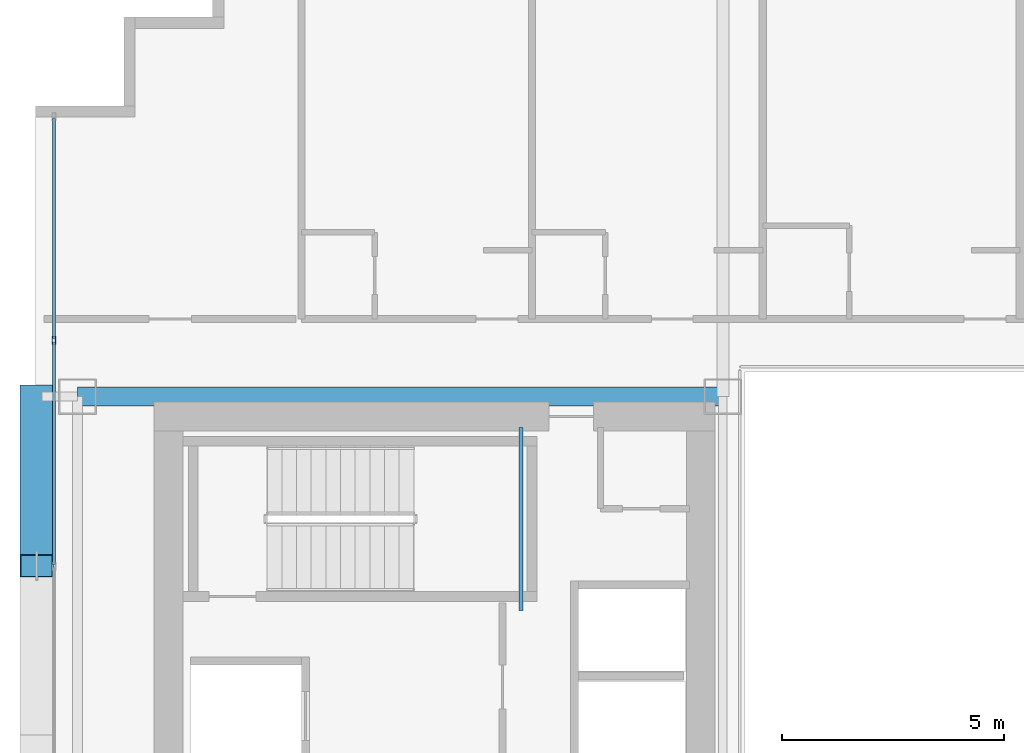
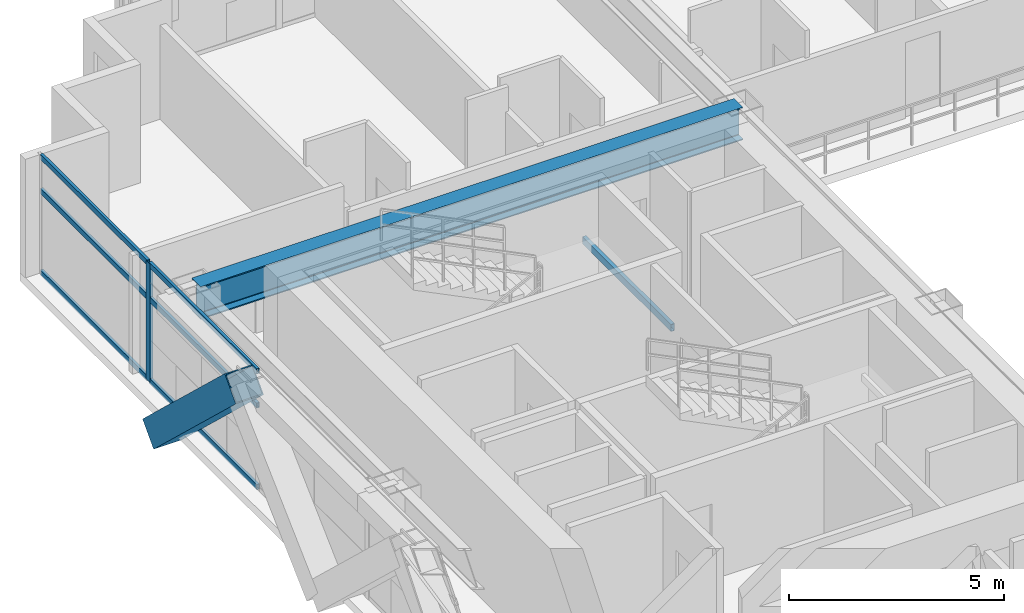
# One storey, part 16 of 36: 8 members, 2 beams, 1 element without a shape of its own.
"""IFC4 building model written with IfcOpenShell, lengths in metres."""

from ifc_helpers import new_model, si_unit, direction, frame, origin, origin_2d, place, context, subcontext, project, spatial, hollow_rectangle, i_section, extrude, source, transform, mapped, material, layer, layer_set, material_profile, profile_set, type_object, element, aggregate, save


model = new_model("IFC4")

# Units and contexts
model_context = context("Model", 3, precision=1e-05, world=origin(), true_north=direction((0.0, 1.0)))
body_context = subcontext(model_context, "Body", "Model", "MODEL_VIEW")
ifc_project = project(units=[si_unit("LENGTHUNIT", "METRE"), si_unit("AREAUNIT", "SQUARE_METRE"), si_unit("VOLUMEUNIT", "CUBIC_METRE"), si_unit("PLANEANGLEUNIT", "RADIAN"), si_unit("MASSUNIT", "GRAM", prefix="KILO")], contexts=[model_context])

# Site, building, storey
site_placement = place(None, origin())
site = spatial("IfcSite", under=ifc_project, at=site_placement, CompositionType="ELEMENT")
building_placement = place(site_placement, origin())
building = spatial("IfcBuilding", under=site, at=building_placement, Name="Ocotamira Hotel", CompositionType="ELEMENT")
storey_placement = place(building_placement, frame((0.0, 0.0, 97.199951171875)))
storey = spatial("IfcBuildingStorey", under=building, at=storey_placement, Name="L23", CompositionType="ELEMENT", Elevation=97.199951171875)

# Beams
ifc_material_1 = material(Name="Steel ASTM A500 Grade C", Category="steel")
ifc_material_profile_1 = material_profile(ifc_material_1, hollow_rectangle(XDim=0.10009765625, YDim=0.199951171875, WallThickness=0.008056640625, at=origin_2d()), Name="HSS200X100X8")
ifc_profile_set_1 = profile_set([ifc_material_profile_1], Name="Steel ASTM A500 Grade C")
beam_type_1 = type_object("IfcBeamType", Name="BM-STLDG-HSS200", PredefinedType="BEAM", material=ifc_profile_set_1)
shared_shape_1 = source(origin(), body_context, "Body", "SweptSolid", [
    extrude(hollow_rectangle(XDim=0.10009765625, YDim=0.199951171875, WallThickness=0.008056640625, at=origin_2d()), origin(), (0.0, 0.0, 1.0), 4.1201171875),
])
beam_1_placement = place(storey_placement, frame((18.949951171875, 32.6298828125, 1.5), z_axis=(0.0, 1.0, 0.0), x_axis=(-1.0, 0.0, 0.0)))
element("IfcBeam", 1, at=beam_1_placement, inside=storey, type_object=beam_type_1, Name="L23 Stair ST-2 Landing Bearer 1", PredefinedType="BEAM", context=body_context, shape_type="MappedRepresentation", body=[
    mapped(shared_shape_1, transform((0.0, 0.0, 0.0), scale=1.0)),
])
ifc_material_2 = material(Name="Steel ASTM A992 Grade 50", Category="steel")
ifc_material_profile_2 = material_profile(ifc_material_2, i_section(OverallWidth=0.41796875, OverallDepth=0.927001953125, WebThickness=0.019287109375, FlangeThickness=0.031982421875, FilletRadius=0.02392578125, at=origin_2d()), Name="W36X231")
ifc_profile_set_2 = profile_set([ifc_material_profile_2], Name="Steel ASTM A992 Grade 50")
beam_type_2 = type_object("IfcBeamType", Name="BM-GIRD-W36X231", PredefinedType="BEAM", material=ifc_profile_set_2)
shared_shape_2 = source(origin(), body_context, "Body", "SweptSolid", [
    extrude(i_section(OverallWidth=0.41796875, OverallDepth=0.927001953125, WebThickness=0.019287109375, FlangeThickness=0.031982421875, FilletRadius=0.02392578125, at=origin_2d()), origin(), (0.0, 0.0, 1.0), 14.550048828125),
])
beam_2_placement = place(storey_placement, frame((8.949951171875, 37.449951171875, 2.896484375), z_axis=(1.0, 0.0, 0.0), x_axis=(0.0, 1.0, 0.0)))
element("IfcBeam", 2, at=beam_2_placement, inside=storey, type_object=beam_type_2, Name="L23 Girder Y37.45 X8.95-23.5", PredefinedType="BEAM", context=body_context, shape_type="MappedRepresentation", body=[
    mapped(shared_shape_2, transform((0.0, 0.0, 0.0), scale=1.0)),
])

# Member
ifc_material_3 = material(Name="Pale-metal coated steel ASTM A913 Grade 65", Category="steel")
ifc_material_profile_3 = material_profile(ifc_material_3, hollow_rectangle(XDim=0.75, YDim=0.75, WallThickness=0.028076171875, at=origin_2d()), Name="BOX750X750X28")
ifc_profile_set_3 = profile_set([ifc_material_profile_3], Name="Pale-metal coated steel ASTM A913 Grade 65")
member_type_1 = type_object("IfcMemberType", Name="MEM-EXO-BOX750", PredefinedType="BRACE", material=ifc_profile_set_3)
shared_shape_3 = source(origin(), body_context, "Body", "SweptSolid", [
    extrude(hollow_rectangle(XDim=0.75, YDim=0.75, WallThickness=0.028076171875, at=origin_2d()), origin(), (0.0, 0.0, 1.0), 5.24658203125),
])
member_1_placement = place(storey_placement, frame((8.030029296875, 37.449951171875, -0.489990234375), z_axis=(0.0, -0.727442733726, 0.686168397078), x_axis=(1.0, 0.0, 0.0)))
element("IfcMember", 3, at=member_1_placement, inside=storey, type_object=member_type_1, Name="L23 Exoskeleton Diagrid W2.2", PredefinedType="BRACE", context=body_context, shape_type="MappedRepresentation", body=[
    mapped(shared_shape_3, transform((0.0, 0.0, 0.0), scale=1.0)),
])

# Curtain wall, members
ifc_material_4 = material(Name="Anodised pale-metal aluminium and solar glass", Category="aluminium")
ifc_layer = layer(ifc_material_4, 0.179931640625)
ifc_layer_set = layer_set([ifc_layer], Name="Anodised pale-metal aluminium and solar glass")
curtain_wall_type = type_object("IfcCurtainWallType", Name="CW-SYS3-Z2", PredefinedType="NOTDEFINED", material=ifc_layer_set)
curtain_wall_placement = place(storey_placement, origin())
curtain_wall = element("IfcCurtainWall", 4, at=curtain_wall_placement, inside=storey, type_object=curtain_wall_type, Name="L23 Curtain Wall CW-3 CW-L23-W", PredefinedType="NOTDEFINED")
ifc_material_5 = material(Name="Anodised pale-metal aluminium 6063-T6", Category="aluminium")
ifc_material_profile_4 = material_profile(ifc_material_5, hollow_rectangle(XDim=0.074951171875, YDim=0.14990234375, WallThickness=0.006103515625, at=origin_2d()), Name="HSS150X75X6")
ifc_profile_set_4 = profile_set([ifc_material_profile_4], Name="Anodised pale-metal aluminium 6063-T6")
member_type_2 = type_object("IfcMemberType", Name="CWT-150X75", PredefinedType="USERDEFINED", material=ifc_profile_set_4)
shared_shape_4 = source(origin(), body_context, "Body", "SweptSolid", [
    extrude(hollow_rectangle(XDim=0.074951171875, YDim=0.14990234375, WallThickness=0.006103515625, at=origin_2d()), origin(), (0.0, 0.0, 1.0), 4.965576171875),
])
member_2_placement = place(storey_placement, frame((8.419921875, 38.75439453125, 0.03759765625), z_axis=(0.0, 1.0, 0.0), x_axis=(-1.0, 0.0, 0.0)))
member_2 = element("IfcMember", 5, at=member_2_placement, type_object=member_type_2, Name="CW-3 transom 7.1", ObjectType="TRANSOM", PredefinedType="USERDEFINED", context=body_context, shape_type="MappedRepresentation", body=[
    mapped(shared_shape_4, transform((0.0, 0.0, 0.0), scale=1.0)),
])
member_3_placement = place(storey_placement, frame((8.419921875, 38.75439453125, 2.35009765625), z_axis=(0.0, 1.0, 0.0), x_axis=(-1.0, 0.0, 0.0)))
member_3 = element("IfcMember", 6, at=member_3_placement, type_object=member_type_2, Name="CW-3 transom 7.2", ObjectType="TRANSOM", PredefinedType="USERDEFINED", context=body_context, shape_type="MappedRepresentation", body=[
    mapped(shared_shape_4, transform((0.0, 0.0, 0.0), scale=1.0)),
])
member_4_placement = place(storey_placement, frame((8.419921875, 38.75439453125, 3.322509765625), z_axis=(0.0, 1.0, 0.0), x_axis=(-1.0, 0.0, 0.0)))
member_4 = element("IfcMember", 7, at=member_4_placement, type_object=member_type_2, Name="CW-3 transom 7.3", ObjectType="TRANSOM", PredefinedType="USERDEFINED", context=body_context, shape_type="MappedRepresentation", body=[
    mapped(shared_shape_4, transform((0.0, 0.0, 0.0), scale=1.0)),
])
shared_shape_5 = source(origin(), body_context, "Body", "SweptSolid", [
    extrude(hollow_rectangle(XDim=0.074951171875, YDim=0.14990234375, WallThickness=0.006103515625, at=origin_2d()), origin(), (0.0, 0.0, 1.0), 5.005859375),
])
member_5_placement = place(storey_placement, frame((8.419921875, 33.66845703125, 0.03759765625), z_axis=(0.0, 1.0, 0.0), x_axis=(-1.0, 0.0, 0.0)))
member_5 = element("IfcMember", 8, at=member_5_placement, type_object=member_type_2, Name="CW-3 transom 6.1", ObjectType="TRANSOM", PredefinedType="USERDEFINED", context=body_context, shape_type="MappedRepresentation", body=[
    mapped(shared_shape_5, transform((0.0, 0.0, 0.0), scale=1.0)),
])
member_6_placement = place(storey_placement, frame((8.419921875, 33.66845703125, 2.35009765625), z_axis=(0.0, 1.0, 0.0), x_axis=(-1.0, 0.0, 0.0)))
member_6 = element("IfcMember", 9, at=member_6_placement, type_object=member_type_2, Name="CW-3 transom 6.2", ObjectType="TRANSOM", PredefinedType="USERDEFINED", context=body_context, shape_type="MappedRepresentation", body=[
    mapped(shared_shape_5, transform((0.0, 0.0, 0.0), scale=1.0)),
])
member_7_placement = place(storey_placement, frame((8.419921875, 33.66845703125, 3.322509765625), z_axis=(0.0, 1.0, 0.0), x_axis=(-1.0, 0.0, 0.0)))
member_7 = element("IfcMember", 10, at=member_7_placement, type_object=member_type_2, Name="CW-3 transom 6.3", ObjectType="TRANSOM", PredefinedType="USERDEFINED", context=body_context, shape_type="MappedRepresentation", body=[
    mapped(shared_shape_5, transform((0.0, 0.0, 0.0), scale=1.0)),
])
ifc_material_profile_5 = material_profile(ifc_material_5, hollow_rectangle(XDim=0.080078125, YDim=0.179931640625, WallThickness=0.006103515625, at=origin_2d()), Name="HSS180X80X6")
ifc_profile_set_5 = profile_set([ifc_material_profile_5], Name="Anodised pale-metal aluminium 6063-T6")
member_type_3 = type_object("IfcMemberType", Name="CWM-180X75", PredefinedType="MULLION", material=ifc_profile_set_5)
shared_shape_6 = source(origin(), body_context, "Body", "SweptSolid", [
    extrude(hollow_rectangle(XDim=0.080078125, YDim=0.179931640625, WallThickness=0.006103515625, at=origin_2d()), origin(), (0.0, 0.0, 1.0), 3.360107421875),
])
member_8_placement = place(storey_placement, frame((8.419921875, 38.71435546875, 0.0), z_axis=(0.0, 0.0, 1.0), x_axis=(-1.0, 0.0, 0.0)))
member_8 = element("IfcMember", 11, at=member_8_placement, type_object=member_type_3, Name="CW-3 mullion 7", PredefinedType="MULLION", context=body_context, shape_type="MappedRepresentation", body=[
    mapped(shared_shape_6, transform((0.0, 0.0, 0.0), scale=1.0)),
])
aggregate(curtain_wall, [member_8, member_5, member_6, member_7, member_2, member_3, member_4])

save(model, "model.ifc")
